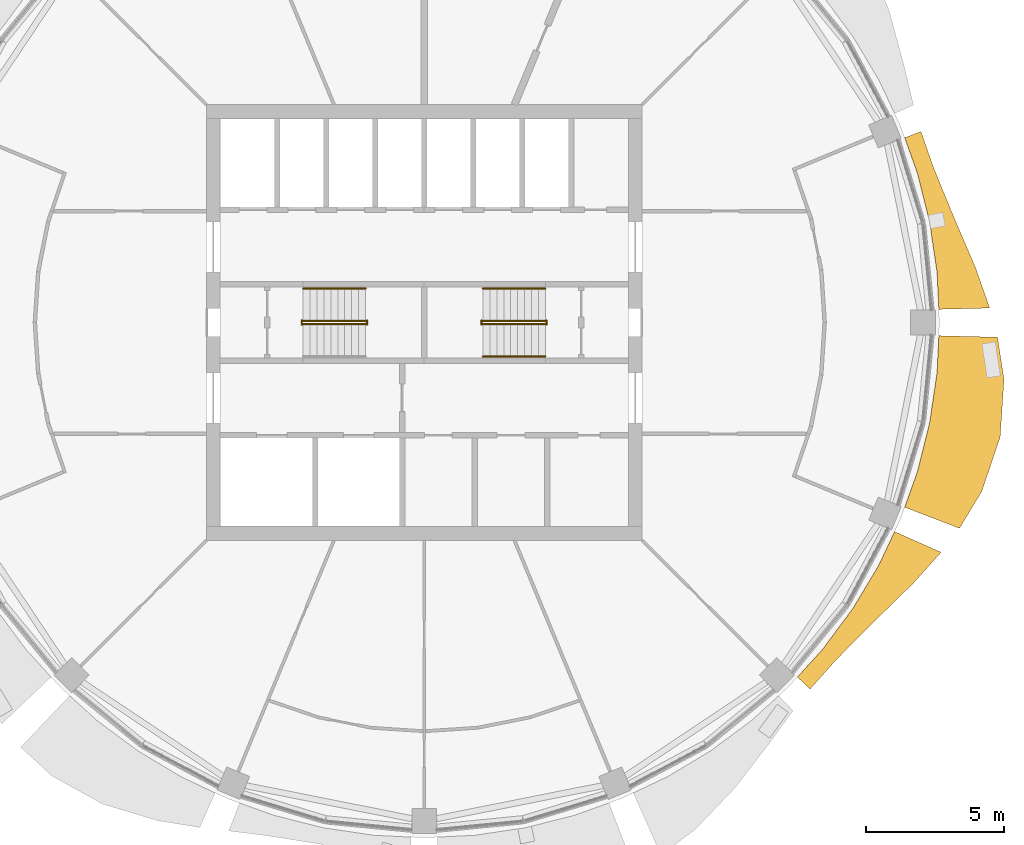
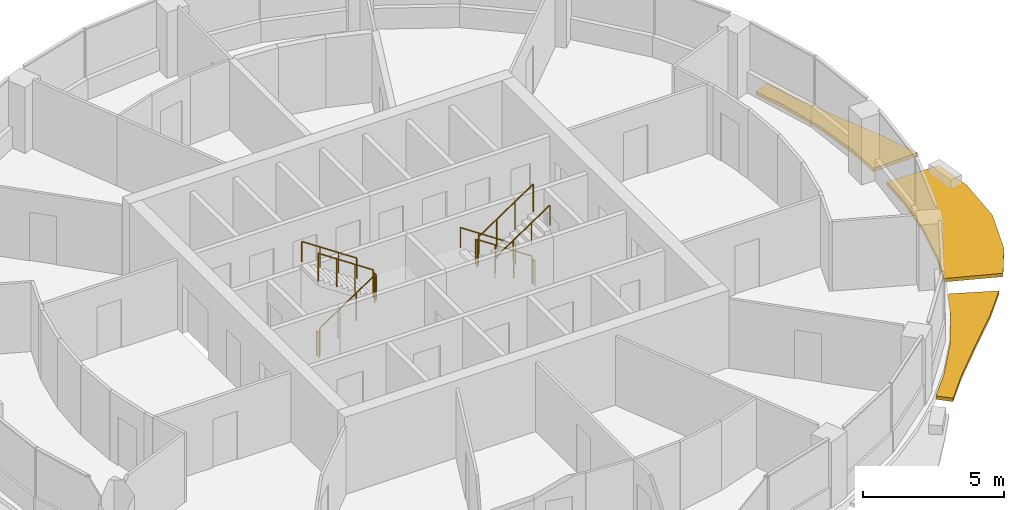
# One storey, part 13 of 15: 11 railings, 3 shading devices.
"""IFC4 building model written with IfcOpenShell, lengths in metres."""

from ifc_helpers import new_model, si_unit, direction, frame, origin, origin_2d, place, context, subcontext, project, spatial, polyline, circle, outline, extrude, material, type_object, element, save


model = new_model("IFC4")

# Units and contexts
model_context = context("Model", 3, precision=1e-05, world=origin(), true_north=direction((0.0, 1.0)))
body_context = subcontext(model_context, "Body", "Model", "MODEL_VIEW")
ifc_project = project(units=[si_unit("LENGTHUNIT", "METRE"), si_unit("AREAUNIT", "SQUARE_METRE"), si_unit("VOLUMEUNIT", "CUBIC_METRE"), si_unit("PLANEANGLEUNIT", "RADIAN"), si_unit("MASSUNIT", "GRAM", prefix="KILO")], contexts=[model_context])

# Site, building, storey
site_placement = place(None, origin())
site = spatial("IfcSite", under=ifc_project, at=site_placement, CompositionType="ELEMENT")
building_placement = place(site_placement, origin())
building = spatial("IfcBuilding", under=site, at=building_placement, Name="Polderwave Tower", CompositionType="ELEMENT")
storey_placement = place(building_placement, frame((0.0, 0.0, 180.949951171875)))
storey = spatial("IfcBuildingStorey", under=building, at=storey_placement, Name="L48", CompositionType="ELEMENT", Elevation=180.949951171875)

# Railings
ifc_material_1 = material(Name="Stainless steel", Category="steel")
railing_type_1 = type_object("IfcRailingType", Name="Stair guard 1100", PredefinedType="GUARDRAIL", material=ifc_material_1)
railing_1_placement = place(storey_placement, frame((-4.3740234375, -0.051025390625, 0.04736328125)))
element("IfcRailing", 1, at=railing_1_placement, inside=storey, type_object=railing_type_1, Name="L48 ST-A stair guard 1", PredefinedType="GUARDRAIL", context=body_context, shape_type="SweptSolid", body=[
    extrude(circle(Radius=0.02392578125, at=origin_2d()), frame((0.0, 0.0, 1.1962890625), z_axis=(0.830758306289, 0.0, 0.556633305266), x_axis=(0.0, 1.0, 0.0)), (0.0, 0.0, 1.0), 2.708251953125),
    extrude(circle(Radius=0.02392578125, at=origin_2d()), origin(), (0.0, 0.0, 1.0), 1.172119140625),
    extrude(circle(Radius=0.02392578125, at=origin_2d()), frame((0.75, 0.0, 0.50244140625)), (0.0, 0.0, 1.0), 1.172119140625),
    extrude(circle(Radius=0.02392578125, at=origin_2d()), frame((1.5, 0.0, 1.005126953125)), (0.0, 0.0, 1.0), 1.172119140625),
    extrude(circle(Radius=0.02392578125, at=origin_2d()), frame((2.25, 0.0, 1.507568359375)), (0.0, 0.0, 1.0), 1.172119140625),
])
railing_2_placement = place(storey_placement, frame((-2.073974609375, -0.074951171875, 1.675048828125)))
element("IfcRailing", 2, at=railing_2_placement, inside=storey, type_object=railing_type_1, Name="L48 ST-A stair guard 2", PredefinedType="GUARDRAIL", context=body_context, shape_type="SweptSolid", body=[
    extrude(circle(Radius=0.02392578125, at=origin_2d()), frame((0.0, 0.0, 1.076171875), z_axis=(0.0, 1.0, 0.0), x_axis=(-1.0, 0.0, 0.0)), (0.0, 0.0, 1.0), 0.14990234375),
    extrude(circle(Radius=0.02099609375, at=origin_2d()), origin(), (0.0, 0.0, 1.0), 1.052001953125),
    extrude(circle(Radius=0.02099609375, at=origin_2d()), frame((0.0, 0.14990234375, 0.0)), (0.0, 0.0, 1.0), 1.052001953125),
])
railing_3_placement = place(storey_placement, frame((-2.1240234375, 0.051025390625, 1.722412109375)))
element("IfcRailing", 3, at=railing_3_placement, inside=storey, type_object=railing_type_1, Name="L48 ST-A stair guard 3", PredefinedType="GUARDRAIL", context=body_context, shape_type="SweptSolid", body=[
    extrude(circle(Radius=0.02392578125, at=origin_2d()), frame((0.0, 0.0, 1.1962890625), z_axis=(-0.830758306289, 0.0, 0.556633305266), x_axis=(0.0, -1.0, 0.0)), (0.0, 0.0, 1.0), 2.708251953125),
    extrude(circle(Radius=0.02392578125, at=origin_2d()), origin(), (0.0, 0.0, 1.0), 1.172119140625),
    extrude(circle(Radius=0.02392578125, at=origin_2d()), frame((-0.75, 0.0, 0.50244140625)), (0.0, 0.0, 1.0), 1.172119140625),
    extrude(circle(Radius=0.02392578125, at=origin_2d()), frame((-1.5, 0.0, 1.005126953125)), (0.0, 0.0, 1.0), 1.172119140625),
    extrude(circle(Radius=0.02392578125, at=origin_2d()), frame((-2.25, 0.0, 1.507568359375)), (0.0, 0.0, 1.0), 1.172119140625),
])
railing_4_placement = place(storey_placement, frame((-4.424072265625, -0.074951171875, 0.0)))
element("IfcRailing", 4, at=railing_4_placement, inside=storey, type_object=railing_type_1, Name="L48 ST-A stair guard 4", PredefinedType="GUARDRAIL", context=body_context, shape_type="SweptSolid", body=[
    extrude(circle(Radius=0.02392578125, at=origin_2d()), frame((0.0, 0.0, 1.076171875), z_axis=(0.0, 1.0, 0.0), x_axis=(-1.0, 0.0, 0.0)), (0.0, 0.0, 1.0), 0.14990234375),
    extrude(circle(Radius=0.02099609375, at=origin_2d()), origin(), (0.0, 0.0, 1.0), 1.052001953125),
    extrude(circle(Radius=0.02099609375, at=origin_2d()), frame((0.0, 0.14990234375, 0.0)), (0.0, 0.0, 1.0), 1.052001953125),
])
railing_5_placement = place(storey_placement, frame((4.3740234375, 0.051025390625, 0.04736328125)))
element("IfcRailing", 5, at=railing_5_placement, inside=storey, type_object=railing_type_1, Name="L48 ST-B stair guard 1", PredefinedType="GUARDRAIL", context=body_context, shape_type="SweptSolid", body=[
    extrude(circle(Radius=0.02392578125, at=origin_2d()), frame((0.0, 0.0, 1.1962890625), z_axis=(-0.830758306289, 0.0, 0.556633305266), x_axis=(0.0, -1.0, 0.0)), (0.0, 0.0, 1.0), 2.708251953125),
    extrude(circle(Radius=0.02392578125, at=origin_2d()), origin(), (0.0, 0.0, 1.0), 1.172119140625),
    extrude(circle(Radius=0.02392578125, at=origin_2d()), frame((-0.75, 0.0, 0.50244140625)), (0.0, 0.0, 1.0), 1.172119140625),
    extrude(circle(Radius=0.02392578125, at=origin_2d()), frame((-1.5, 0.0, 1.005126953125)), (0.0, 0.0, 1.0), 1.172119140625),
    extrude(circle(Radius=0.02392578125, at=origin_2d()), frame((-2.25, 0.0, 1.507568359375)), (0.0, 0.0, 1.0), 1.172119140625),
])
railing_6_placement = place(storey_placement, frame((2.073974609375, 0.074951171875, 1.675048828125)))
element("IfcRailing", 6, at=railing_6_placement, inside=storey, type_object=railing_type_1, Name="L48 ST-B stair guard 2", PredefinedType="GUARDRAIL", context=body_context, shape_type="SweptSolid", body=[
    extrude(circle(Radius=0.02392578125, at=origin_2d()), frame((0.0, 0.0, 1.076171875), z_axis=(0.0, -1.0, 0.0), x_axis=(1.0, 0.0, 0.0)), (0.0, 0.0, 1.0), 0.14990234375),
    extrude(circle(Radius=0.02099609375, at=origin_2d()), origin(), (0.0, 0.0, 1.0), 1.052001953125),
    extrude(circle(Radius=0.02099609375, at=origin_2d()), frame((0.0, -0.14990234375, 0.0)), (0.0, 0.0, 1.0), 1.052001953125),
])
railing_7_placement = place(storey_placement, frame((2.1240234375, -0.051025390625, 1.722412109375)))
element("IfcRailing", 7, at=railing_7_placement, inside=storey, type_object=railing_type_1, Name="L48 ST-B stair guard 3", PredefinedType="GUARDRAIL", context=body_context, shape_type="SweptSolid", body=[
    extrude(circle(Radius=0.02392578125, at=origin_2d()), frame((0.0, 0.0, 1.1962890625), z_axis=(0.830758306289, 0.0, 0.556633305266), x_axis=(0.0, 1.0, 0.0)), (0.0, 0.0, 1.0), 2.708251953125),
    extrude(circle(Radius=0.02392578125, at=origin_2d()), origin(), (0.0, 0.0, 1.0), 1.172119140625),
    extrude(circle(Radius=0.02392578125, at=origin_2d()), frame((0.75, 0.0, 0.50244140625)), (0.0, 0.0, 1.0), 1.172119140625),
    extrude(circle(Radius=0.02392578125, at=origin_2d()), frame((1.5, 0.0, 1.005126953125)), (0.0, 0.0, 1.0), 1.172119140625),
    extrude(circle(Radius=0.02392578125, at=origin_2d()), frame((2.25, 0.0, 1.507568359375)), (0.0, 0.0, 1.0), 1.172119140625),
])
railing_8_placement = place(storey_placement, frame((4.424072265625, 0.074951171875, 0.0)))
element("IfcRailing", 8, at=railing_8_placement, inside=storey, type_object=railing_type_1, Name="L48 ST-B stair guard 4", PredefinedType="GUARDRAIL", context=body_context, shape_type="SweptSolid", body=[
    extrude(circle(Radius=0.02392578125, at=origin_2d()), frame((0.0, 0.0, 1.076171875), z_axis=(0.0, -1.0, 0.0), x_axis=(1.0, 0.0, 0.0)), (0.0, 0.0, 1.0), 0.14990234375),
    extrude(circle(Radius=0.02099609375, at=origin_2d()), origin(), (0.0, 0.0, 1.0), 1.052001953125),
    extrude(circle(Radius=0.02099609375, at=origin_2d()), frame((0.0, -0.14990234375, 0.0)), (0.0, 0.0, 1.0), 1.052001953125),
])
railing_type_2 = type_object("IfcRailingType", Name="Stair handrail 900", PredefinedType="HANDRAIL", material=ifc_material_1)
for number, where, name in (
    (9, (-2.1240234375, 1.22509765625, 1.842529296875), "L48 ST-A stair handrail 2"),
    (10, (4.3740234375, 1.22509765625, 0.16748046875), "L48 ST-B stair handrail 1"),
):
    element("IfcRailing", number, at=place(storey_placement, frame(where)), inside=storey, type_object=railing_type_2, Name=name, PredefinedType="HANDRAIL", context=body_context, shape_type="SweptSolid", body=[
        extrude(circle(Radius=0.02392578125, at=origin_2d()), frame((0.0, 0.0, 0.8759765625), z_axis=(-0.830758306289, 0.0, 0.556633305266), x_axis=(0.0, -1.0, 0.0)), (0.0, 0.0, 1.0), 2.708251953125),
        extrude(circle(Radius=0.02099609375, at=origin_2d()), origin(), (0.0, 0.0, 1.0), 0.851806640625),
        extrude(circle(Radius=0.02099609375, at=origin_2d()), frame((-0.75, 0.0, 0.50244140625)), (0.0, 0.0, 1.0), 0.851806640625),
        extrude(circle(Radius=0.02099609375, at=origin_2d()), frame((-1.5, 0.0, 1.005126953125)), (0.0, 0.0, 1.0), 0.851806640625),
        extrude(circle(Radius=0.02099609375, at=origin_2d()), frame((-2.25, 0.0, 1.507568359375)), (0.0, 0.0, 1.0), 0.851806640625),
    ])
railing_9_placement = place(storey_placement, frame((2.1240234375, -1.22509765625, 1.842529296875)))
element("IfcRailing", 11, at=railing_9_placement, inside=storey, type_object=railing_type_2, Name="L48 ST-B stair handrail 2", PredefinedType="HANDRAIL", context=body_context, shape_type="SweptSolid", body=[
    extrude(circle(Radius=0.02392578125, at=origin_2d()), frame((0.0, 0.0, 0.8759765625), z_axis=(0.830758306289, 0.0, 0.556633305266), x_axis=(0.0, 1.0, 0.0)), (0.0, 0.0, 1.0), 2.708251953125),
    extrude(circle(Radius=0.02099609375, at=origin_2d()), origin(), (0.0, 0.0, 1.0), 0.851806640625),
    extrude(circle(Radius=0.02099609375, at=origin_2d()), frame((0.75, 0.0, 0.50244140625)), (0.0, 0.0, 1.0), 0.851806640625),
    extrude(circle(Radius=0.02099609375, at=origin_2d()), frame((1.5, 0.0, 1.005126953125)), (0.0, 0.0, 1.0), 0.851806640625),
    extrude(circle(Radius=0.02099609375, at=origin_2d()), frame((2.25, 0.0, 1.507568359375)), (0.0, 0.0, 1.0), 0.851806640625),
])

# Shading devices
ifc_material_2 = material(Name="Terracotta", Category="masonry")
shading_device_type = type_object("IfcShadingDeviceType", Name="Terracotta sunshade band", PredefinedType="USERDEFINED", material=ifc_material_2)
shading_device_1_placement = place(storey_placement, frame((0.0, 0.0, -0.349853515625)))
element("IfcShadingDevice", 12, at=shading_device_1_placement, inside=storey, type_object=shading_device_type, Name="Sunshade band L48 1", ObjectType="SUNSHADE", PredefinedType="USERDEFINED", context=body_context, shape_type="SweptSolid", body=[
    extrude(outline(polyline([(18.5966796875, 0.476318359375), (18.5302734375, 1.8251953125), (18.26220703125, 3.632568359375), (17.818115234375, 5.405029296875), (17.36328125, 6.676513671875), (17.94970703125, 6.902099609375), (18.410888671875, 5.5849609375), (19.138671875, 3.806884765625), (19.929443359375, 1.962890625), (20.433837890625, 0.523193359375), (18.5966796875, 0.476318359375)])), origin(), (0.0, 0.0, 1.0), 0.14990234375),
])
shading_device_2_placement = place(storey_placement, frame((0.0, 0.0, -0.349853515625)))
element("IfcShadingDevice", 13, at=shading_device_2_placement, inside=storey, type_object=shading_device_type, Name="Sunshade band L48 15", ObjectType="SUNSHADE", PredefinedType="USERDEFINED", context=body_context, shape_type="SweptSolid", body=[
    extrude(outline(polyline([(13.486572265625, -12.81298828125), (14.3935546875, -11.8125), (15.48193359375, -10.3447265625), (16.42138671875, -8.77734375), (16.998779296875, -7.556640625), (18.67626953125, -8.302490234375), (17.659423828125, -9.439208984375), (16.223876953125, -10.84033203125), (14.8720703125, -12.205078125), (13.9423828125, -13.24609375), (13.486572265625, -12.81298828125)])), origin(), (0.0, 0.0, 1.0), 0.14990234375),
])
shading_device_3_placement = place(storey_placement, frame((0.0, 0.0, -0.349853515625)))
element("IfcShadingDevice", 14, at=shading_device_3_placement, inside=storey, type_object=shading_device_type, Name="Sunshade band L48 16", ObjectType="SUNSHADE", PredefinedType="USERDEFINED", context=body_context, shape_type="SweptSolid", body=[
    extrude(outline(polyline([(17.36328125, -6.676513671875), (17.818115234375, -5.405029296875), (18.26220703125, -3.632568359375), (18.5302734375, -1.8251953125), (18.5966796875, -0.476318359375), (20.71630859375, -0.530517578125), (20.95068359375, -2.0634765625), (20.812255859375, -4.139892578125), (20.14453125, -6.11083984375), (19.3408203125, -7.43701171875), (17.36328125, -6.676513671875)])), origin(), (0.0, 0.0, 1.0), 0.14990234375),
])

save(model, "model.ifc")
